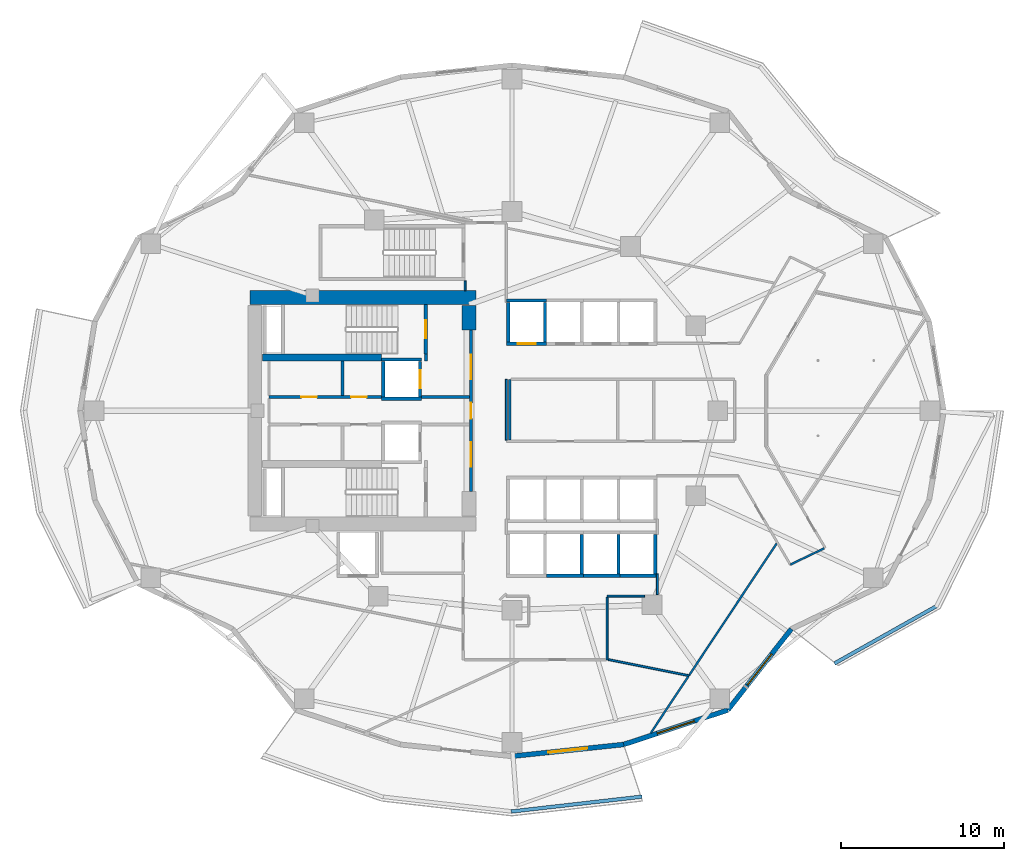
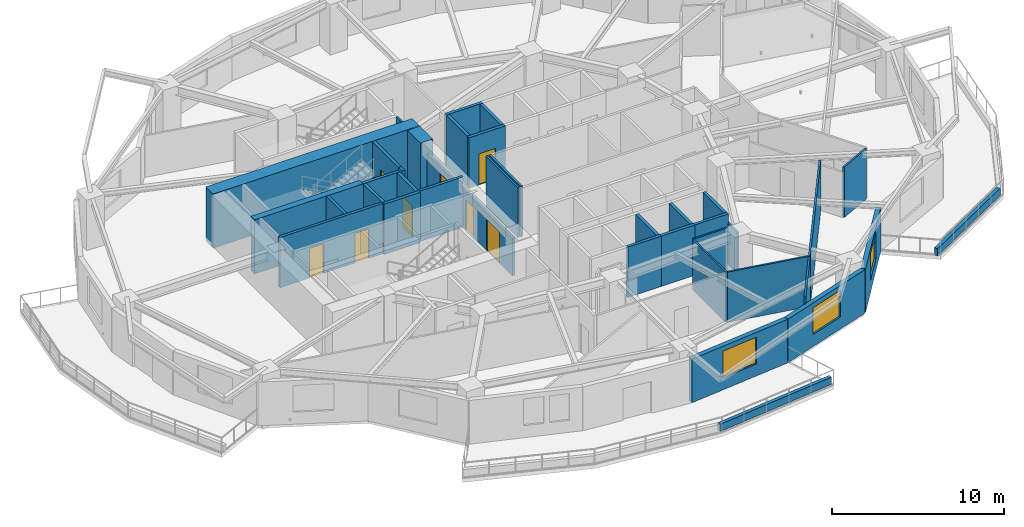
# One storey, part 4 of 14: 38 walls, 8 doors, 3 windows, 11 openings.
"""IFC4 building model written with IfcOpenShell, lengths in metres."""

from ifc_helpers import new_model, si_unit, direction, frame, frame_2d, origin, place, context, subcontext, project, spatial, rectangle, extrude, material, layer, layer_set, type_object, element, fill, save


model = new_model("IFC4")

# Units and contexts
model_context = context("Model", 3, precision=1e-05, world=origin(), true_north=direction((0.0, 1.0)))
body_context = subcontext(model_context, "Body", "Model", "MODEL_VIEW")
ifc_project = project(units=[si_unit("LENGTHUNIT", "METRE"), si_unit("AREAUNIT", "SQUARE_METRE"), si_unit("VOLUMEUNIT", "CUBIC_METRE"), si_unit("PLANEANGLEUNIT", "RADIAN"), si_unit("MASSUNIT", "GRAM", prefix="KILO")], contexts=[model_context])

# Site, building, storey
site_placement = place(None, origin())
site = spatial("IfcSite", under=ifc_project, at=site_placement, CompositionType="ELEMENT")
building_placement = place(site_placement, origin())
building = spatial("IfcBuilding", under=site, at=building_placement, Name="Kolvaren Gate Tower and Convention Centre", CompositionType="ELEMENT")
storey_placement = place(building_placement, frame((0.0, 0.0, 57.300048828125)))
storey = spatial("IfcBuildingStorey", under=building, at=storey_placement, Name="L13", CompositionType="ELEMENT", Elevation=57.300048828125)

# Wall
ifc_material_1 = material(Name="Autoclaved Aerated Masonry Blockwork Class 4 (4.0 MPa)", Category="masonry")
ifc_layer_1 = layer(ifc_material_1, 0.179931640625)
ifc_layer_set_1 = layer_set([ifc_layer_1], Name="Autoclaved Aerated Masonry Blockwork Class 4 (4.0 MPa)")
wall_type_1 = type_object("IfcWallType", Name="ARCH-WL-COMP-180", PredefinedType="SOLIDWALL", material=ifc_layer_set_1)
wall_1_placement = place(storey_placement, frame((24.85009765625, 30.0400390625, 0.0), z_axis=(0.0, 0.0, 1.0), x_axis=(0.0, 1.0, 0.0)))
element("IfcWall", 1, at=wall_1_placement, inside=storey, type_object=wall_type_1, Name="Interior Partition WL-L13-INT-002", PredefinedType="SOLIDWALL", context=body_context, shape_type="SweptSolid", body=[
    extrude(rectangle(XDim=0.419921875, YDim=0.179931640625, at=frame_2d((0.2099609375, 0.0))), origin(), (0.0, 0.0, 1.0), 3.570068359375),
])

# Wall, openings, doors
wall_2_placement = place(storey_placement, frame((27.6201171875, 22.050048828125, 0.0), z_axis=(0.0, 0.0, 1.0), x_axis=(0.0, 1.0, 0.0)))
wall_2 = element("IfcWall", 2, at=wall_2_placement, inside=storey, type_object=wall_type_1, Name="Interior Partition WL-L13-INT-003", PredefinedType="SOLIDWALL", context=body_context, shape_type="SweptSolid", body=[
    extrude(rectangle(XDim=9.89990234375, YDim=0.179931640625, at=frame_2d((4.949951171875, 0.0))), origin(), (0.0, 0.0, 1.0), 2.661865234375),
])
opening_1_placement = place(wall_2_placement, frame((4.47509765625, 0.0, 0.0)))
opening_1 = element("IfcOpeningElement", 3, at=opening_1_placement, cuts=wall_2, Name="Opening DR-01", PredefinedType="OPENING", context=body_context, shape_type="SweptSolid", body=[
    extrude(rectangle(XDim=0.949951171875, YDim=2.10009765625, at=frame_2d((0.47509765625, 1.050048828125))), frame((0.0, 0.099853515625, 0.0), z_axis=(0.0, -1.0, 0.0), x_axis=(1.0, 0.0, 0.0)), (0.0, 0.0, 1.0), 0.199951171875),
])
opening_2_placement = place(wall_2_placement, frame((6.889892578125, 0.0, 0.0)))
opening_2 = element("IfcOpeningElement", 4, at=opening_2_placement, cuts=wall_2, Name="Opening DL-01", PredefinedType="OPENING", context=body_context, shape_type="SweptSolid", body=[
    extrude(rectangle(XDim=1.5, YDim=2.199951171875, at=frame_2d((0.75, 1.10009765625))), frame((0.0, 0.099853515625, 0.0), z_axis=(0.0, -1.0, 0.0), x_axis=(1.0, 0.0, 0.0)), (0.0, 0.0, 1.0), 0.199951171875),
])
opening_3_placement = place(wall_2_placement, frame((1.510009765625, 0.0, 0.0)))
opening_3 = element("IfcOpeningElement", 5, at=opening_3_placement, cuts=wall_2, Name="Opening DL-01", PredefinedType="OPENING", context=body_context, shape_type="SweptSolid", body=[
    extrude(rectangle(XDim=1.5, YDim=2.199951171875, at=frame_2d((0.75, 1.10009765625))), frame((0.0, 0.099853515625, 0.0), z_axis=(0.0, -1.0, 0.0), x_axis=(1.0, 0.0, 0.0)), (0.0, 0.0, 1.0), 0.199951171875),
])
ifc_material_2 = material(Name="Painted Architectural Steelwork ASTM A500 Grade C 345 MPa", Category="steel")
door_type_1 = type_object("IfcDoorType", Name="ARCH-DR-LOBBY-1500", OperationType="DOUBLE_DOOR_SINGLE_SWING", PredefinedType="DOOR", material=ifc_material_2)
door_1_placement = place(opening_2_placement, origin())
door_1 = element("IfcDoor", 6, at=door_1_placement, inside=storey, type_object=door_type_1, Name="North Firefighting Stair and Lift Lobby Door", OperationType="DOUBLE_DOOR_SINGLE_SWING", OverallHeight=2.199951171875, OverallWidth=1.5, PredefinedType="DOOR", context=body_context, shape_type="SweptSolid", body=[
    extrude(rectangle(XDim=1.5, YDim=2.199951171875, at=frame_2d((0.75, 1.10009765625))), frame((0.0, 0.02490234375, 0.0), z_axis=(0.0, -1.0, 0.0), x_axis=(1.0, 0.0, 0.0)), (0.0, 0.0, 1.0), 0.050048828125),
])
fill(opening_2, door_1)
door_2_placement = place(opening_3_placement, origin())
door_2 = element("IfcDoor", 7, at=door_2_placement, inside=storey, type_object=door_type_1, Name="South Firefighting Stair and Lift Lobby Door", OperationType="DOUBLE_DOOR_SINGLE_SWING", OverallHeight=2.199951171875, OverallWidth=1.5, PredefinedType="DOOR", context=body_context, shape_type="SweptSolid", body=[
    extrude(rectangle(XDim=1.5, YDim=2.199951171875, at=frame_2d((0.75, 1.10009765625))), frame((0.0, 0.02490234375, 0.0), z_axis=(0.0, -1.0, 0.0), x_axis=(1.0, 0.0, 0.0)), (0.0, 0.0, 1.0), 0.050048828125),
])
fill(opening_3, door_2)
door_type_2 = type_object("IfcDoorType", Name="ARCH-DR-RISER-950", OperationType="SINGLE_SWING_RIGHT", PredefinedType="DOOR", material=ifc_material_2)
door_3_placement = place(opening_1_placement, origin())
door_3 = element("IfcDoor", 8, at=door_3_placement, inside=storey, type_object=door_type_2, Name="Central MEP Service Corridor Door", OperationType="SINGLE_SWING_RIGHT", OverallHeight=2.10009765625, OverallWidth=0.949951171875, PredefinedType="DOOR", context=body_context, shape_type="SweptSolid", body=[
    extrude(rectangle(XDim=0.949951171875, YDim=2.10009765625, at=frame_2d((0.47509765625, 1.050048828125))), frame((0.0, 0.02490234375, 0.0), z_axis=(0.0, -1.0, 0.0), x_axis=(1.0, 0.0, 0.0)), (0.0, 0.0, 1.0), 0.050048828125),
])
fill(opening_1, door_3)

wall_3_placement = place(storey_placement, frame((15.25, 27.840087890625, 0.0), z_axis=(0.0, 0.0, 1.0), x_axis=(1.0, 0.0, 0.0)))
wall_3 = element("IfcWall", 9, at=wall_3_placement, inside=storey, type_object=wall_type_1, Name="Interior Partition WL-L13-INT-004", PredefinedType="SOLIDWALL", context=body_context, shape_type="SweptSolid", body=[
    extrude(rectangle(XDim=6.89990234375, YDim=0.179931640625, at=frame_2d((3.449951171875, 0.0))), origin(), (0.0, 0.0, 1.0), 3.570068359375),
])
opening_4_placement = place(wall_3_placement, frame((5.02001953125, 0.0, 0.0)))
opening_4 = element("IfcOpeningElement", 10, at=opening_4_placement, cuts=wall_3, Name="Opening DR-01", PredefinedType="OPENING", context=body_context, shape_type="SweptSolid", body=[
    extrude(rectangle(XDim=0.949951171875, YDim=2.10009765625, at=frame_2d((0.47509765625, 1.050048828125))), frame((0.0, 0.099853515625, 0.0), z_axis=(0.0, -1.0, 0.0), x_axis=(1.0, 0.0, 0.0)), (0.0, 0.0, 1.0), 0.199951171875),
])
opening_5_placement = place(wall_3_placement, frame((1.97998046875, 0.0, 0.0)))
opening_5 = element("IfcOpeningElement", 11, at=opening_5_placement, cuts=wall_3, Name="Opening DR-01", PredefinedType="OPENING", context=body_context, shape_type="SweptSolid", body=[
    extrude(rectangle(XDim=0.949951171875, YDim=2.10009765625, at=frame_2d((0.47509765625, 1.050048828125))), frame((0.0, 0.099853515625, 0.0), z_axis=(0.0, -1.0, 0.0), x_axis=(1.0, 0.0, 0.0)), (0.0, 0.0, 1.0), 0.199951171875),
])
door_4_placement = place(opening_4_placement, origin())
door_4 = element("IfcDoor", 12, at=door_4_placement, inside=storey, type_object=door_type_2, Name="Electrical Switchgear Closet Door", OperationType="SINGLE_SWING_LEFT", OverallHeight=2.10009765625, OverallWidth=0.949951171875, PredefinedType="DOOR", context=body_context, shape_type="SweptSolid", body=[
    extrude(rectangle(XDim=0.949951171875, YDim=2.10009765625, at=frame_2d((0.47509765625, 1.050048828125))), frame((0.0, 0.02490234375, 0.0), z_axis=(0.0, -1.0, 0.0), x_axis=(1.0, 0.0, 0.0)), (0.0, 0.0, 1.0), 0.050048828125),
])
fill(opening_4, door_4)
door_5_placement = place(opening_5_placement, origin())
door_5 = element("IfcDoor", 13, at=door_5_placement, inside=storey, type_object=door_type_2, Name="Staff Powder Washroom Door", OperationType="SINGLE_SWING_LEFT", OverallHeight=2.10009765625, OverallWidth=0.949951171875, PredefinedType="DOOR", context=body_context, shape_type="SweptSolid", body=[
    extrude(rectangle(XDim=0.949951171875, YDim=2.10009765625, at=frame_2d((0.47509765625, 1.050048828125))), frame((0.0, 0.02490234375, 0.0), z_axis=(0.0, -1.0, 0.0), x_axis=(1.0, 0.0, 0.0)), (0.0, 0.0, 1.0), 0.050048828125),
])
fill(opening_5, door_5)

# Walls
wall_4_placement = place(storey_placement, frame((24.60009765625, 27.840087890625, 0.0), z_axis=(0.0, 0.0, 1.0), x_axis=(1.0, 0.0, 0.0)))
element("IfcWall", 14, at=wall_4_placement, inside=storey, type_object=wall_type_1, Name="Interior Partition WL-L13-INT-004 (2)", PredefinedType="SOLIDWALL", context=body_context, shape_type="SweptSolid", body=[
    extrude(rectangle(XDim=2.927978515625, YDim=0.179931640625, at=frame_2d((1.4638671875, 0.0))), origin(), (0.0, 0.0, 1.0), 3.570068359375),
])
wall_5_placement = place(storey_placement, frame((19.75, 27.931884765625, 0.0), z_axis=(0.0, 0.0, 1.0), x_axis=(0.0, 1.0, 0.0)))
element("IfcWall", 15, at=wall_5_placement, inside=storey, type_object=wall_type_1, Name="Interior Partition WL-L13-INT-008", PredefinedType="SOLIDWALL", context=body_context, shape_type="SweptSolid", body=[
    extrude(rectangle(XDim=2.106201171875, YDim=0.179931640625, at=frame_2d((1.05322265625, 0.0))), origin(), (0.0, 0.0, 1.0), 3.570068359375),
])
ifc_material_3 = material(Name="Fire-Rated Acoustic Gypsum Stud Partition", Category="gypsum")
ifc_layer_2 = layer(ifc_material_3, 0.1201171875)
ifc_layer_set_2 = layer_set([ifc_layer_2], Name="Fire-Rated Acoustic Gypsum Stud Partition")
wall_type_2 = type_object("IfcWallType", Name="ARCH-WL-PART-120", PredefinedType="PARTITIONING", material=ifc_layer_set_2)
wall_6_placement = place(storey_placement, frame((35.949951171875, 15.64990234375, 0.0), z_axis=(0.0, 0.0, 1.0), x_axis=(1.0, 0.0, 0.0)))
element("IfcWall", 16, at=wall_6_placement, inside=storey, type_object=wall_type_2, Name="Interior Partition WL-L13-INT-018", PredefinedType="PARTITIONING", context=body_context, shape_type="SweptSolid", body=[
    extrude(rectangle(XDim=2.291015625, YDim=0.1201171875, at=frame_2d((1.1455078125, 0.0))), origin(), (0.0, 0.0, 1.0), 3.570068359375),
])
wall_7_placement = place(storey_placement, frame((35.949951171875, 11.75, 0.0), z_axis=(0.0, 0.0, 1.0), x_axis=(0.0, 1.0, 0.0)))
element("IfcWall", 17, at=wall_7_placement, inside=storey, type_object=wall_type_2, Name="Interior Partition WL-L13-INT-019", PredefinedType="PARTITIONING", context=body_context, shape_type="SweptSolid", body=[
    extrude(rectangle(XDim=3.837890625, YDim=0.1201171875, at=frame_2d((1.9189453125, 0.0))), origin(), (0.0, 0.0, 1.0), 3.570068359375),
])
wall_8_placement = place(storey_placement, frame((27.25, 34.35205078125, 0.0), z_axis=(0.0, 0.0, 1.0), x_axis=(0.0, 1.0, 0.0)))
element("IfcWall", 18, at=wall_8_placement, inside=storey, type_object=wall_type_2, Name="Interior Partition WL-L13-INT-021", PredefinedType="PARTITIONING", context=body_context, shape_type="SweptSolid", body=[
    extrude(rectangle(XDim=0.60595703125, YDim=0.1201171875, at=frame_2d((0.302978515625, 0.0))), origin(), (0.0, 0.0, 1.0), 3.570068359375),
])
wall_9_placement = place(storey_placement, frame((29.780029296875, 25.197021484375, 0.0), z_axis=(0.0, 0.0, 1.0), x_axis=(0.0, 1.0, 0.0)))
element("IfcWall", 19, at=wall_9_placement, inside=storey, type_object=wall_type_2, Name="Interior Partition WL-L13-INT-024", PredefinedType="PARTITIONING", context=body_context, shape_type="SweptSolid", body=[
    extrude(rectangle(XDim=3.722900390625, YDim=0.1201171875, at=frame_2d((1.861328125, 0.0))), origin(), (0.0, 0.0, 1.0), 3.570068359375),
])
wall_10_placement = place(storey_placement, frame((47.160888671875, 17.5810546875, 0.0), z_axis=(0.0, 0.0, 1.0), x_axis=(0.901265146481, 0.433267972204, 0.0)))
element("IfcWall", 20, at=wall_10_placement, inside=storey, type_object=wall_type_2, Name="Interior Partition WL-L13-INT-032", PredefinedType="PARTITIONING", context=body_context, shape_type="SweptSolid", body=[
    extrude(rectangle(XDim=2.305908203125, YDim=0.1201171875, at=frame_2d((1.15283203125, 0.0))), origin(), (0.0, 0.0, 1.0), 3.570068359375),
])
wall_11_placement = place(storey_placement, frame((39.02001953125, 15.741943359375, 0.0), z_axis=(0.0, 0.0, 1.0), x_axis=(0.0, 1.0, 0.0)))
element("IfcWall", 21, at=wall_11_placement, inside=storey, type_object=wall_type_2, Name="Interior Partition WL-L13-INT-035", PredefinedType="PARTITIONING", context=body_context, shape_type="SweptSolid", body=[
    extrude(rectangle(XDim=1.26806640625, YDim=0.1201171875, at=frame_2d((0.634033203125, 0.0))), origin(), (0.0, 0.0, 1.0), 2.933837890625),
])
wall_12_placement = place(storey_placement, frame((36.011962890625, 11.772705078125, 0.0), z_axis=(0.0, 0.0, 1.0), x_axis=(0.980526579604, -0.196386421855, 0.0)))
element("IfcWall", 22, at=wall_12_placement, inside=storey, type_object=wall_type_2, Name="Interior Partition WL-L13-INT-041", PredefinedType="PARTITIONING", context=body_context, shape_type="SweptSolid", body=[
    extrude(rectangle(XDim=5.037353515625, YDim=0.1201171875, at=frame_2d((2.5185546875, 0.0))), origin(), (0.0, 0.0, 1.0), 3.570068359375),
])
wall_13_placement = place(storey_placement, frame((38.62548828125, 7.2802734375, 0.0), z_axis=(0.0, 0.0, 1.0), x_axis=(0.553106233715, 0.833110733471, 0.0)))
element("IfcWall", 23, at=wall_13_placement, inside=storey, type_object=wall_type_2, Name="Interior Partition WL-L13-INT-043", PredefinedType="PARTITIONING", context=body_context, shape_type="SweptSolid", body=[
    extrude(rectangle(XDim=4.13818359375, YDim=0.1201171875, at=frame_2d((2.069091796875, 0.0))), origin(), (0.0, 0.0, 1.0), 3.570068359375),
])
wall_14_placement = place(storey_placement, frame((40.950927734375, 10.783203125, 0.0), z_axis=(0.0, 0.0, 1.0), x_axis=(0.553122636923, 0.83309984307, 0.0)))
element("IfcWall", 24, at=wall_14_placement, inside=storey, type_object=wall_type_2, Name="Interior Partition WL-L13-INT-043 (2)", PredefinedType="PARTITIONING", context=body_context, shape_type="SweptSolid", body=[
    extrude(rectangle(XDim=9.72021484375, YDim=0.1201171875, at=frame_2d((4.860107421875, 0.0))), origin(), (0.0, 0.0, 1.0), 3.570068359375),
])
ifc_material_4 = material(Name="Piedmont Cream Honed Limestone Cladding", Category="masonry")
ifc_layer_3 = layer(ifc_material_4, 0.219970703125)
ifc_layer_set_3 = layer_set([ifc_layer_3], Name="Piedmont Cream Honed Limestone Cladding")
wall_type_3 = type_object("IfcWallType", Name="ARCH-WL-PLANTER-220", PredefinedType="PARAPET", material=ifc_layer_set_3)
wall_15_placement = place(storey_placement, frame((30.07958984375, 2.46630859375, 0.0), z_axis=(0.0, 0.0, 1.0), x_axis=(0.993598144351, 0.112972242349, 0.0)))
element("IfcWall", 25, at=wall_15_placement, inside=storey, type_object=wall_type_3, Name="Vertical-Forest Balcony Stone Planter Kerb PK-L13-3.3", PredefinedType="PARAPET", context=body_context, shape_type="SweptSolid", body=[
    extrude(rectangle(XDim=8.056396484375, YDim=0.219970703125, at=frame_2d((4.0283203125, 0.0))), origin(), (0.0, 0.0, 1.0), 0.52001953125),
])
wall_16_placement = place(storey_placement, frame((49.867919921875, 11.530517578125, 0.0), z_axis=(0.0, 0.0, 1.0), x_axis=(0.871775109335, 0.489906275468, 0.0)))
element("IfcWall", 26, at=wall_16_placement, inside=storey, type_object=wall_type_3, Name="Vertical-Forest Balcony Stone Planter Kerb PK-L13-4.1", PredefinedType="PARAPET", context=body_context, shape_type="SweptSolid", body=[
    extrude(rectangle(XDim=7.152099609375, YDim=0.219970703125, at=frame_2d((3.576171875, 0.0))), origin(), (0.0, 0.0, 1.0), 0.52001953125),
])
ifc_layer_4 = layer(ifc_material_1, 0.199951171875)
ifc_layer_set_4 = layer_set([ifc_layer_4], Name="Autoclaved Aerated Masonry Blockwork Class 4 (4.0 MPa)")
wall_type_4 = type_object("IfcWallType", Name="ARCH-WL-SHAFT-200", PredefinedType="SOLIDWALL", material=ifc_layer_set_4)
for number, where, z_axis, x_axis, name in (
    (27, (22.14990234375, 30.139892578125, 0.0), (0.0, 0.0, 1.0), (1.0, 0.0, 0.0), "Elevator FF-01 L13 Fire Shaft Wall N"),
    (28, (22.14990234375, 27.739990234375, 0.0), (0.0, 0.0, 1.0), (1.0, 0.0, 0.0), "Elevator FF-01 L13 Fire Shaft Wall S"),
):
    element("IfcWall", number, at=place(storey_placement, frame(where, z_axis=z_axis, x_axis=x_axis)), inside=storey, type_object=wall_type_4, Name=name, PredefinedType="SOLIDWALL", context=body_context, shape_type="SweptSolid", body=[
        extrude(rectangle(XDim=2.4501953125, YDim=0.199951171875, at=frame_2d((1.22509765625, 0.0))), origin(), (0.0, 0.0, 1.0), 3.570068359375),
    ])
wall_17_placement = place(storey_placement, frame((22.25, 27.85009765625, 0.0), z_axis=(0.0, 0.0, 1.0), x_axis=(0.0, 1.0, 0.0)))
element("IfcWall", 29, at=wall_17_placement, inside=storey, type_object=wall_type_4, Name="Elevator FF-01 L13 Fire Shaft Wall W", PredefinedType="SOLIDWALL", context=body_context, shape_type="SweptSolid", body=[
    extrude(rectangle(XDim=2.179931640625, YDim=0.199951171875, at=frame_2d((1.08984375, 0.0))), origin(), (0.0, 0.0, 1.0), 3.570068359375),
])

# Wall, opening, door
wall_18_placement = place(storey_placement, frame((24.5, 27.85009765625, 0.0), z_axis=(0.0, 0.0, 1.0), x_axis=(0.0, 1.0, 0.0)))
wall_18 = element("IfcWall", 30, at=wall_18_placement, inside=storey, type_object=wall_type_4, Name="Elevator FF-01 L13 Fire Shaft Wall E", PredefinedType="SOLIDWALL", context=body_context, shape_type="SweptSolid", body=[
    extrude(rectangle(XDim=2.179931640625, YDim=0.199951171875, at=frame_2d((1.08984375, 0.0))), origin(), (0.0, 0.0, 1.0), 3.570068359375),
])
opening_6_placement = place(wall_18_placement, frame((0.5400390625, 0.0, 0.0)))
opening_6 = element("IfcOpeningElement", 31, at=opening_6_placement, cuts=wall_18, Name="Opening LD", PredefinedType="OPENING", context=body_context, shape_type="SweptSolid", body=[
    extrude(rectangle(XDim=1.10009765625, YDim=2.199951171875, at=frame_2d((0.550048828125, 1.10009765625))), frame((0.0, 0.10986328125, 0.0), z_axis=(0.0, -1.0, 0.0), x_axis=(1.0, 0.0, 0.0)), (0.0, 0.0, 1.0), 0.219970703125),
])
ifc_material_5 = material(Name="Brushed Stainless Steel Grade 316L", Category="steel")
door_type_3 = type_object("IfcDoorType", Name="ARCH-DR-LIFT-1100", OperationType="SLIDING_TO_LEFT", PredefinedType="DOOR", material=ifc_material_5)
door_6_placement = place(opening_6_placement, origin())
door_6 = element("IfcDoor", 32, at=door_6_placement, inside=storey, type_object=door_type_3, Name="Elevator FF-01 L13 Sliding Landing Door", OperationType="SLIDING_TO_LEFT", OverallHeight=2.199951171875, OverallWidth=1.10009765625, PredefinedType="DOOR", context=body_context, shape_type="SweptSolid", body=[
    extrude(rectangle(XDim=1.10009765625, YDim=2.199951171875, at=frame_2d((0.550048828125, 1.10009765625))), frame((0.0, 0.02490234375, 0.0), z_axis=(0.0, -1.0, 0.0), x_axis=(1.0, 0.0, 0.0)), (0.0, 0.0, 1.0), 0.050048828125),
])
fill(opening_6, door_6)

# Wall
wall_19_placement = place(storey_placement, frame((29.800048828125, 33.75, 0.0), z_axis=(0.0, 0.0, 1.0), x_axis=(1.0, 0.0, 0.0)))
element("IfcWall", 33, at=wall_19_placement, inside=storey, type_object=wall_type_4, Name="Elevator PL-01 L13 Fire Shaft Wall N", PredefinedType="SOLIDWALL", context=body_context, shape_type="SweptSolid", body=[
    extrude(rectangle(XDim=2.449951171875, YDim=0.199951171875, at=frame_2d((1.22509765625, 0.0))), origin(), (0.0, 0.0, 1.0), 3.570068359375),
])

# Wall, opening, door
wall_20_placement = place(storey_placement, frame((29.800048828125, 31.10009765625, 0.0), z_axis=(0.0, 0.0, 1.0), x_axis=(1.0, 0.0, 0.0)))
wall_20 = element("IfcWall", 34, at=wall_20_placement, inside=storey, type_object=wall_type_4, Name="Elevator PL-01 L13 Fire Shaft Wall S", PredefinedType="SOLIDWALL", context=body_context, shape_type="SweptSolid", body=[
    extrude(rectangle(XDim=2.449951171875, YDim=0.199951171875, at=frame_2d((1.22509765625, 0.0))), origin(), (0.0, 0.0, 1.0), 3.570068359375),
])
opening_7_placement = place(wall_20_placement, frame((0.675048828125, 0.0, 0.0)))
opening_7 = element("IfcOpeningElement", 35, at=opening_7_placement, cuts=wall_20, Name="Opening LD", PredefinedType="OPENING", context=body_context, shape_type="SweptSolid", body=[
    extrude(rectangle(XDim=1.10009765625, YDim=2.199951171875, at=frame_2d((0.550048828125, 1.10009765625))), frame((0.0, 0.10986328125, 0.0), z_axis=(0.0, -1.0, 0.0), x_axis=(1.0, 0.0, 0.0)), (0.0, 0.0, 1.0), 0.219970703125),
])
door_7_placement = place(opening_7_placement, origin())
door_7 = element("IfcDoor", 36, at=door_7_placement, inside=storey, type_object=door_type_3, Name="Elevator PL-01 L13 Sliding Landing Door", OperationType="SLIDING_TO_LEFT", OverallHeight=2.199951171875, OverallWidth=1.10009765625, PredefinedType="DOOR", context=body_context, shape_type="SweptSolid", body=[
    extrude(rectangle(XDim=1.10009765625, YDim=2.199951171875, at=frame_2d((0.550048828125, 1.10009765625))), frame((0.0, 0.02490234375, 0.0), z_axis=(0.0, -1.0, 0.0), x_axis=(1.0, 0.0, 0.0)), (0.0, 0.0, 1.0), 0.050048828125),
])
fill(opening_7, door_7)

# Walls
for number, where, z_axis, x_axis, name in (
    (37, (29.89990234375, 31.2099609375, 0.0), (0.0, 0.0, 1.0), (0.0, 1.0, 0.0), "Elevator PL-01 L13 Fire Shaft Wall W"),
    (38, (32.14990234375, 31.2099609375, 0.0), (0.0, 0.0, 1.0), (0.0, 1.0, 0.0), "Elevator PL-01 L13 Fire Shaft Wall E"),
):
    element("IfcWall", number, at=place(storey_placement, frame(where, z_axis=z_axis, x_axis=x_axis)), inside=storey, type_object=wall_type_4, Name=name, PredefinedType="SOLIDWALL", context=body_context, shape_type="SweptSolid", body=[
        extrude(rectangle(XDim=2.429931640625, YDim=0.199951171875, at=frame_2d((1.21484375, 0.0))), origin(), (0.0, 0.0, 1.0), 3.570068359375),
    ])
wall_21_placement = place(storey_placement, frame((32.25, 16.89990234375, 0.0), z_axis=(0.0, 0.0, 1.0), x_axis=(1.0, 0.0, 0.0)))
element("IfcWall", 39, at=wall_21_placement, inside=storey, type_object=wall_type_4, Name="Elevator PL-06 L13 Fire Shaft Wall S", PredefinedType="SOLIDWALL", context=body_context, shape_type="SweptSolid", body=[
    extrude(rectangle(XDim=2.25, YDim=0.199951171875, at=frame_2d((1.125, 0.0))), origin(), (0.0, 0.0, 1.0), 3.570068359375),
])
wall_22_placement = place(storey_placement, frame((34.39990234375, 17.010009765625, 0.0), z_axis=(0.0, 0.0, 1.0), x_axis=(0.0, 1.0, 0.0)))
element("IfcWall", 40, at=wall_22_placement, inside=storey, type_object=wall_type_4, Name="Elevator PL-06 L13 Fire Shaft Wall E", PredefinedType="SOLIDWALL", context=body_context, shape_type="SweptSolid", body=[
    extrude(rectangle(XDim=2.429931640625, YDim=0.199951171875, at=frame_2d((1.21484375, 0.0))), origin(), (0.0, 0.0, 1.0), 3.570068359375),
])
wall_23_placement = place(storey_placement, frame((34.5, 16.89990234375, 0.0), z_axis=(0.0, 0.0, 1.0), x_axis=(1.0, 0.0, 0.0)))
element("IfcWall", 41, at=wall_23_placement, inside=storey, type_object=wall_type_4, Name="Elevator PL-07 L13 Fire Shaft Wall S", PredefinedType="SOLIDWALL", context=body_context, shape_type="SweptSolid", body=[
    extrude(rectangle(XDim=2.25, YDim=0.199951171875, at=frame_2d((1.125, 0.0))), origin(), (0.0, 0.0, 1.0), 3.570068359375),
])
wall_24_placement = place(storey_placement, frame((36.64990234375, 17.010009765625, 0.0), z_axis=(0.0, 0.0, 1.0), x_axis=(0.0, 1.0, 0.0)))
element("IfcWall", 42, at=wall_24_placement, inside=storey, type_object=wall_type_4, Name="Elevator PL-07 L13 Fire Shaft Wall E", PredefinedType="SOLIDWALL", context=body_context, shape_type="SweptSolid", body=[
    extrude(rectangle(XDim=2.429931640625, YDim=0.199951171875, at=frame_2d((1.21484375, 0.0))), origin(), (0.0, 0.0, 1.0), 3.570068359375),
])
wall_25_placement = place(storey_placement, frame((36.75, 16.89990234375, 0.0), z_axis=(0.0, 0.0, 1.0), x_axis=(1.0, 0.0, 0.0)))
element("IfcWall", 43, at=wall_25_placement, inside=storey, type_object=wall_type_4, Name="Elevator PL-08 L13 Fire Shaft Wall S", PredefinedType="SOLIDWALL", context=body_context, shape_type="SweptSolid", body=[
    extrude(rectangle(XDim=2.25, YDim=0.199951171875, at=frame_2d((1.125, 0.0))), origin(), (0.0, 0.0, 1.0), 3.570068359375),
])
wall_26_placement = place(storey_placement, frame((38.89990234375, 17.010009765625, 0.0), z_axis=(0.0, 0.0, 1.0), x_axis=(0.0, 1.0, 0.0)))
element("IfcWall", 44, at=wall_26_placement, inside=storey, type_object=wall_type_4, Name="Elevator PL-08 L13 Fire Shaft Wall E", PredefinedType="SOLIDWALL", context=body_context, shape_type="SweptSolid", body=[
    extrude(rectangle(XDim=2.429931640625, YDim=0.199951171875, at=frame_2d((1.21484375, 0.0))), origin(), (0.0, 0.0, 1.0), 3.570068359375),
])

# Wall, opening, window
ifc_layer_5 = layer(ifc_material_4, 0.300048828125)
ifc_layer_set_5 = layer_set([ifc_layer_5], Name="Piedmont Cream Honed Limestone Cladding")
wall_type_5 = type_object("IfcWallType", Name="ARCH-WL-STONE-300", PredefinedType="SOLIDWALL", material=ifc_layer_set_5)
wall_27_placement = place(storey_placement, frame((30.125, 5.85009765625, 0.0), z_axis=(0.0, 0.0, 1.0), x_axis=(0.994498840295, 0.104747585419, 0.0)))
wall_27 = element("IfcWall", 45, at=wall_27_placement, inside=storey, type_object=wall_type_5, Name="Tower L13 Honed Stone Spandrel Wall EW-18", PredefinedType="SOLIDWALL", context=body_context, shape_type="SweptSolid", body=[
    extrude(rectangle(XDim=6.88037109375, YDim=0.300048828125, at=frame_2d((3.440185546875, 0.0))), origin(), (0.0, 0.0, 1.0), 3.093017578125),
])
opening_8_placement = place(wall_27_placement, frame((2.239990234375, 0.0, 0.85009765625)))
opening_8 = element("IfcOpeningElement", 46, at=opening_8_placement, cuts=wall_27, Name="Opening W-01", PredefinedType="OPENING", context=body_context, shape_type="SweptSolid", body=[
    extrude(rectangle(XDim=2.39990234375, YDim=1.89990234375, at=frame_2d((1.199951171875, 0.949951171875))), frame((0.0, 0.159912109375, 0.0), z_axis=(0.0, -1.0, 0.0), x_axis=(1.0, 0.0, 0.0)), (0.0, 0.0, 1.0), 0.320068359375),
])
ifc_material_6 = material(Name="Low-E Triple Insulated Glazing Unit 44 mm", Category="glass")
window_type = type_object("IfcWindowType", Name="ARCH-WN-OFF-2400", PartitioningType="SINGLE_PANEL", PredefinedType="WINDOW", material=ifc_material_6)
window_1_placement = place(opening_8_placement, origin())
window_1 = element("IfcWindow", 47, at=window_1_placement, inside=storey, type_object=window_type, Name="Tower L13 Punched Stone Facade Window W-18", OverallHeight=1.89990234375, OverallWidth=2.39990234375, PartitioningType="SINGLE_PANEL", PredefinedType="WINDOW", context=body_context, shape_type="SweptSolid", body=[
    extrude(rectangle(XDim=2.39990234375, YDim=1.89990234375, at=frame_2d((1.199951171875, 0.949951171875))), frame((0.0, 0.030029296875, 0.0), z_axis=(0.0, -1.0, 0.0), x_axis=(1.0, 0.0, 0.0)), (0.0, 0.0, 1.0), 0.06005859375),
])
fill(opening_8, window_1)

wall_28_placement = place(storey_placement, frame((36.967529296875, 6.57080078125, 0.0), z_axis=(0.0, 0.0, 1.0), x_axis=(0.949245153629, 0.314537181127, 0.0)))
wall_28 = element("IfcWall", 48, at=wall_28_placement, inside=storey, type_object=wall_type_5, Name="Tower L13 Honed Stone Spandrel Wall EW-19", PredefinedType="SOLIDWALL", context=body_context, shape_type="SweptSolid", body=[
    extrude(rectangle(XDim=6.717041015625, YDim=0.300048828125, at=frame_2d((3.3583984375, 0.0))), origin(), (0.0, 0.0, 1.0), 3.093017578125),
])
opening_9_placement = place(wall_28_placement, frame((2.158935546875, 0.0, 0.85009765625)))
opening_9 = element("IfcOpeningElement", 49, at=opening_9_placement, cuts=wall_28, Name="Opening W-01", PredefinedType="OPENING", context=body_context, shape_type="SweptSolid", body=[
    extrude(rectangle(XDim=2.39990234375, YDim=1.89990234375, at=frame_2d((1.199951171875, 0.949951171875))), frame((0.0, 0.159912109375, 0.0), z_axis=(0.0, -1.0, 0.0), x_axis=(1.0, 0.0, 0.0)), (0.0, 0.0, 1.0), 0.320068359375),
])
window_2_placement = place(opening_9_placement, origin())
window_2 = element("IfcWindow", 50, at=window_2_placement, inside=storey, type_object=window_type, Name="Tower L13 Punched Stone Facade Window W-19", OverallHeight=1.89990234375, OverallWidth=2.39990234375, PartitioningType="SINGLE_PANEL", PredefinedType="WINDOW", context=body_context, shape_type="SweptSolid", body=[
    extrude(rectangle(XDim=2.39990234375, YDim=1.89990234375, at=frame_2d((1.199951171875, 0.949951171875))), frame((0.0, 0.030029296875, 0.0), z_axis=(0.0, -1.0, 0.0), x_axis=(1.0, 0.0, 0.0)), (0.0, 0.0, 1.0), 0.06005859375),
])
fill(opening_9, window_2)

wall_29_placement = place(storey_placement, frame((43.34375, 8.68359375, 0.0), z_axis=(0.0, 0.0, 1.0), x_axis=(0.616434798832, 0.78740595552, 0.0)))
wall_29 = element("IfcWall", 51, at=wall_29_placement, inside=storey, type_object=wall_type_5, Name="Tower L13 Honed Stone Spandrel Wall EW-20", PredefinedType="SOLIDWALL", context=body_context, shape_type="SweptSolid", body=[
    extrude(rectangle(XDim=6.29443359375, YDim=0.300048828125, at=frame_2d((3.147216796875, 0.0))), origin(), (0.0, 0.0, 1.0), 3.093017578125),
])
opening_10_placement = place(wall_29_placement, frame((1.947021484375, 0.0, 0.85009765625)))
opening_10 = element("IfcOpeningElement", 52, at=opening_10_placement, cuts=wall_29, Name="Opening W-01", PredefinedType="OPENING", context=body_context, shape_type="SweptSolid", body=[
    extrude(rectangle(XDim=2.39990234375, YDim=1.89990234375, at=frame_2d((1.199951171875, 0.949951171875))), frame((0.0, 0.159912109375, 0.0), z_axis=(0.0, -1.0, 0.0), x_axis=(1.0, 0.0, 0.0)), (0.0, 0.0, 1.0), 0.320068359375),
])
window_3_placement = place(opening_10_placement, origin())
window_3 = element("IfcWindow", 53, at=window_3_placement, inside=storey, type_object=window_type, Name="Tower L13 Punched Stone Facade Window W-20", OverallHeight=1.89990234375, OverallWidth=2.39990234375, PartitioningType="SINGLE_PANEL", PredefinedType="WINDOW", context=body_context, shape_type="SweptSolid", body=[
    extrude(rectangle(XDim=2.39990234375, YDim=1.89990234375, at=frame_2d((1.199951171875, 0.949951171875))), frame((0.0, 0.030029296875, 0.0), z_axis=(0.0, -1.0, 0.0), x_axis=(1.0, 0.0, 0.0)), (0.0, 0.0, 1.0), 0.06005859375),
])
fill(opening_10, window_3)

# Walls
ifc_material_7 = material(Name="Moisture-Resistant Cement-Board Acoustic Partition", Category="gypsum")
ifc_layer_6 = layer(ifc_material_7, 0.14990234375)
ifc_layer_set_6 = layer_set([ifc_layer_6], Name="Moisture-Resistant Cement-Board Acoustic Partition")
wall_type_6 = type_object("IfcWallType", Name="ARCH-WL-WET-150", PredefinedType="PARTITIONING", material=ifc_layer_set_6)
wall_30_placement = place(storey_placement, frame((30.0, 25.197021484375, 0.0), z_axis=(0.0, 0.0, 1.0), x_axis=(0.0, 1.0, 0.0)))
element("IfcWall", 54, at=wall_30_placement, inside=storey, type_object=wall_type_6, Name="Interior Partition WL-L13-INT-013", PredefinedType="PARTITIONING", context=body_context, shape_type="SweptSolid", body=[
    extrude(rectangle(XDim=3.722900390625, YDim=0.14990234375, at=frame_2d((1.861328125, 0.0))), origin(), (0.0, 0.0, 1.0), 3.570068359375),
])
ifc_material_8 = material(Name="Concrete C50/60", Category="concrete")
ifc_layer_7 = layer(ifc_material_8, 0.419921875)
ifc_layer_set_7 = layer_set([ifc_layer_7], Name="Concrete C50/60")
wall_type_7 = type_object("IfcWallType", Name="STR-WL-CONV-420", PredefinedType="SHEAR", material=ifc_layer_set_7)
wall_31_placement = place(storey_placement, frame((14.85009765625, 30.25, -0.280029296875), z_axis=(0.0, 0.0, 1.0), x_axis=(1.0, 0.0, 0.0)))
element("IfcWall", 55, at=wall_31_placement, inside=storey, type_object=wall_type_7, Name="Tower L13 Offset Core Shear Wall WN", PredefinedType="SHEAR", context=body_context, shape_type="SweptSolid", body=[
    extrude(rectangle(XDim=7.2998046875, YDim=0.419921875, at=frame_2d((3.64990234375, 0.0))), origin(), (0.0, 0.0, 1.0), 3.85009765625),
])
ifc_material_9 = material(Name="Concrete C70/85", Category="concrete")
ifc_layer_8 = layer(ifc_material_9, 0.85009765625)
ifc_layer_set_8 = layer_set([ifc_layer_8], Name="Concrete C70/85")
wall_type_8 = type_object("IfcWallType", Name="STR-WL-CORE-850", PredefinedType="SHEAR", material=ifc_layer_set_8)
wall_32_placement = place(storey_placement, frame((14.074951171875, 33.925048828125, -0.280029296875), z_axis=(0.0, 0.0, 1.0), x_axis=(1.0, 0.0, 0.0)))
element("IfcWall", 56, at=wall_32_placement, inside=storey, type_object=wall_type_8, Name="Tower L13 Offset Core Shear Wall N", PredefinedType="SHEAR", context=body_context, shape_type="SweptSolid", body=[
    extrude(rectangle(XDim=13.85009765625, YDim=0.85009765625, at=frame_2d((6.925048828125, 0.0))), origin(), (0.0, 0.0, 1.0), 3.85009765625),
])
wall_33_placement = place(storey_placement, frame((27.5, 31.949951171875, -0.280029296875), z_axis=(0.0, 0.0, 1.0), x_axis=(0.0, 1.0, 0.0)))
element("IfcWall", 57, at=wall_33_placement, inside=storey, type_object=wall_type_8, Name="Tower L13 Offset Core Shear Wall EN", PredefinedType="SHEAR", context=body_context, shape_type="SweptSolid", body=[
    extrude(rectangle(XDim=1.5, YDim=0.85009765625, at=frame_2d((0.75, 0.0))), origin(), (0.0, 0.0, 1.0), 3.85009765625),
])

# Wall, opening, door
ifc_layer_9 = layer(ifc_material_8, 0.199951171875)
ifc_layer_set_9 = layer_set([ifc_layer_9], Name="Concrete C50/60")
wall_type_9 = type_object("IfcWallType", Name="STR-WL-SHAFT-200", PredefinedType="SHEAR", material=ifc_layer_set_9)
wall_34_placement = place(storey_placement, frame((24.85009765625, 30.4599609375, -0.280029296875), z_axis=(0.0, 0.0, 1.0), x_axis=(0.0, 1.0, 0.0)))
wall_34 = element("IfcWall", 58, at=wall_34_placement, inside=storey, type_object=wall_type_9, Name="Tower North Exit Stair ST-T1 L13 Structural Shear Enclosure Wall NEAR", PredefinedType="SHEAR", context=body_context, shape_type="SweptSolid", body=[
    extrude(rectangle(XDim=3.0380859375, YDim=0.199951171875, at=frame_2d((1.51904296875, 0.0))), origin(), (0.0, 0.0, 1.0), 3.85009765625),
])
opening_11_placement = place(wall_34_placement, frame((0.968994140625, 0.0, 0.280029296875)))
opening_11 = element("IfcOpeningElement", 59, at=opening_11_placement, cuts=wall_34, Name="Opening DS-01", PredefinedType="OPENING", context=body_context, shape_type="SweptSolid", body=[
    extrude(rectangle(XDim=1.10009765625, YDim=2.14990234375, at=frame_2d((0.550048828125, 1.074951171875))), frame((0.0, 0.10986328125, 0.0), z_axis=(0.0, -1.0, 0.0), x_axis=(1.0, 0.0, 0.0)), (0.0, 0.0, 1.0), 0.219970703125),
])
door_type_4 = type_object("IfcDoorType", Name="ARCH-DR-STAIR-1100", OperationType="SINGLE_SWING_LEFT", PredefinedType="DOOR", material=ifc_material_2)
door_8_placement = place(opening_11_placement, origin())
door_8 = element("IfcDoor", 60, at=door_8_placement, inside=storey, type_object=door_type_4, Name="Tower North Exit Stair ST-T1 L13 Fire Exit Stair Door", OperationType="SINGLE_SWING_LEFT", OverallHeight=2.14990234375, OverallWidth=1.10009765625, PredefinedType="DOOR", context=body_context, shape_type="SweptSolid", body=[
    extrude(rectangle(XDim=1.10009765625, YDim=2.14990234375, at=frame_2d((0.550048828125, 1.074951171875))), frame((0.0, 0.02490234375, 0.0), z_axis=(0.0, -1.0, 0.0), x_axis=(1.0, 0.0, 0.0)), (0.0, 0.0, 1.0), 0.050048828125),
])
fill(opening_11, door_8)

save(model, "model.ifc")
